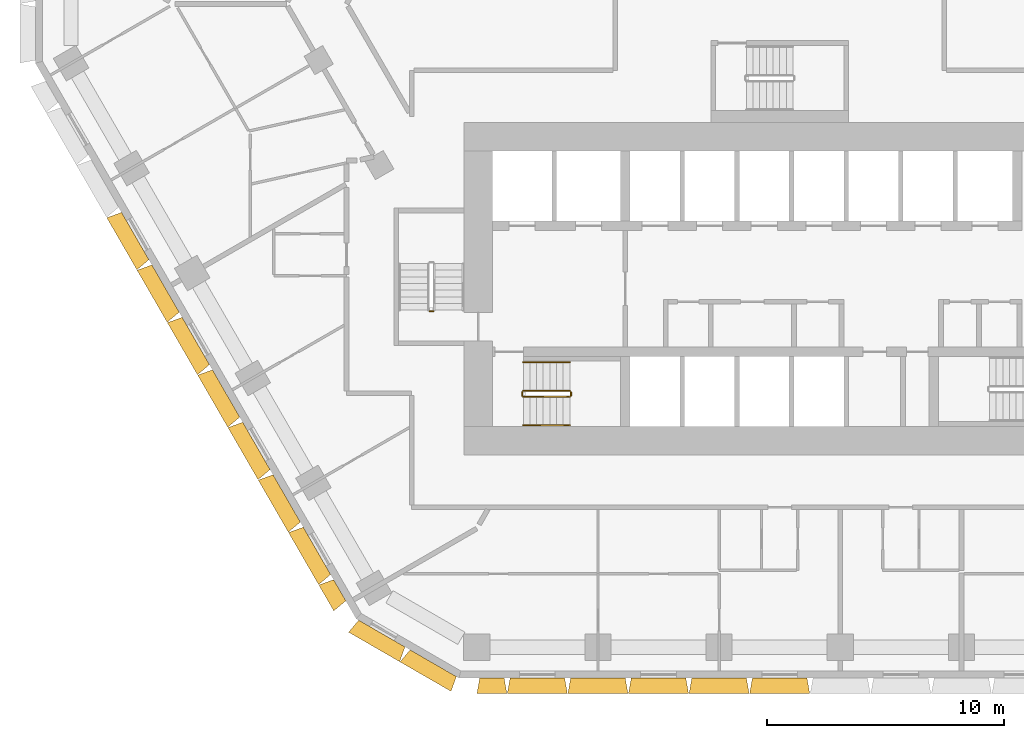
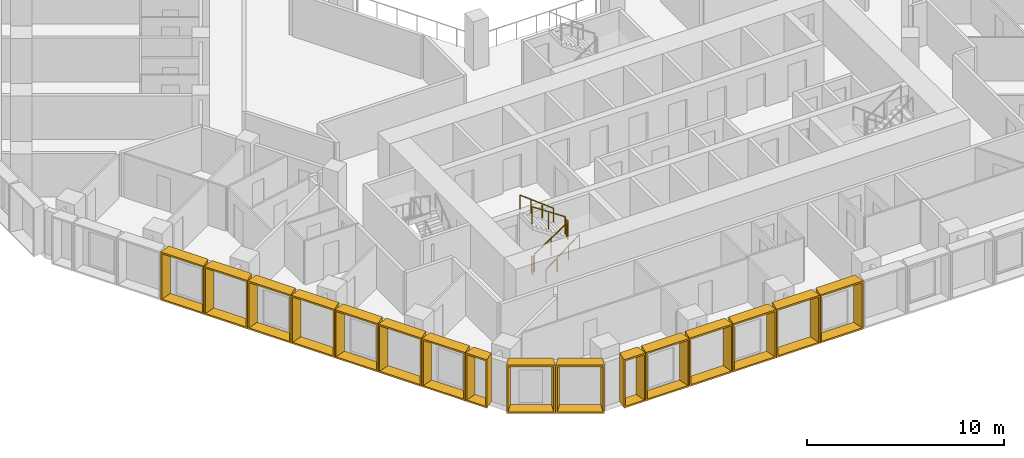
# One storey, part 13 of 16: 16 shading devices, 7 railings.
"""IFC4 building model written with IfcOpenShell, lengths in metres."""

from ifc_helpers import new_model, entity, si_unit, direction, frame, origin, origin_2d, place, context, subcontext, project, spatial, rectangle, extrude, source, transform, mapped, material, type_object, type_shapes, element, save


model = new_model("IFC4")

# Units and contexts
model_context = context("Model", 3, precision=1e-05, world=origin(), true_north=direction((0.0, 1.0)))
body_context = subcontext(model_context, "Body", "Model", "MODEL_VIEW")
ifc_project = project(units=[si_unit("LENGTHUNIT", "METRE"), si_unit("AREAUNIT", "SQUARE_METRE"), si_unit("VOLUMEUNIT", "CUBIC_METRE"), si_unit("PLANEANGLEUNIT", "RADIAN"), si_unit("MASSUNIT", "GRAM", prefix="KILO")], contexts=[model_context])

# Site, building, storey
site_placement = place(None, origin())
site = spatial("IfcSite", under=ifc_project, at=site_placement, CompositionType="ELEMENT")
building_placement = place(site_placement, origin())
building = spatial("IfcBuilding", under=site, at=building_placement, Name="Beryl Residences", CompositionType="ELEMENT")
storey_placement = place(building_placement, frame((0.0, 0.0, 32.39990234375)))
storey = spatial("IfcBuildingStorey", under=building, at=storey_placement, Name="L09", CompositionType="ELEMENT", Elevation=32.39990234375)

# Shading devices
ifc_material_1 = material(Name="Aluminium pale anodised", Category="aluminium")
shading_device_type_1 = type_object("IfcShadingDeviceType", Name="FR128-65A OUTER SKIN frame 650 mm deep, splay 10/10 deg, 1280 x 3000 mm cell", PredefinedType="USERDEFINED", material=ifc_material_1)
cartesian_point_1 = entity("IfcCartesianPoint", [-0.514892578125, 0.0])
cartesian_point_2 = entity("IfcCartesianPoint", [-0.433837890625, 0.10009765625])
cartesian_point_3 = entity("IfcCartesianPoint", [-0.629638671875, 0.0])
cartesian_point_4 = entity("IfcCartesianPoint", [-0.54833984375, 0.10009765625])
shared_shape_1 = source(origin(), body_context, "Body", "SweptSolid", [
    entity("IfcExtrudedAreaSolidTapered", entity("IfcArbitraryProfileDefWithVoids", "AREA", None, entity("IfcPolyline", [cartesian_point_1, entity("IfcCartesianPoint", [0.514892578125, 0.0]), entity("IfcCartesianPoint", [0.514892578125, 3.0]), entity("IfcCartesianPoint", [-0.514892578125, 3.0]), cartesian_point_1]), [entity("IfcPolyline", [cartesian_point_2, entity("IfcCartesianPoint", [0.433837890625, 0.10009765625]), entity("IfcCartesianPoint", [0.433837890625, 2.89990234375]), entity("IfcCartesianPoint", [-0.433837890625, 2.89990234375]), cartesian_point_2])]), entity("IfcAxis2Placement3D", entity("IfcCartesianPoint", [0.0, 0.0, 0.0]), entity("IfcDirection", [0.0, 1.0, 0.0]), entity("IfcDirection", [-1.0, 0.0, 0.0])), entity("IfcDirection", [0.0, 0.0, 1.0]), 0.64990234375, entity("IfcArbitraryProfileDefWithVoids", "AREA", None, entity("IfcPolyline", [cartesian_point_3, entity("IfcCartesianPoint", [0.629638671875, 0.0]), entity("IfcCartesianPoint", [0.629638671875, 3.0]), entity("IfcCartesianPoint", [-0.629638671875, 3.0]), cartesian_point_3]), [entity("IfcPolyline", [cartesian_point_4, entity("IfcCartesianPoint", [0.54833984375, 0.10009765625]), entity("IfcCartesianPoint", [0.54833984375, 2.89990234375]), entity("IfcCartesianPoint", [-0.54833984375, 2.89990234375]), cartesian_point_4])])),
])
type_shapes(shading_device_type_1, [shared_shape_1])
for number, where, z_axis, x_axis, name in (
    (1, (-18.533935546875, -24.698974609375, 0.0), (0.0, 0.0, 1.0), (-0.5, 0.866025403784, 0.0), "FR128-65A frame L09 SW 11"),
    (2, (-12.12109375, -28.39990234375, 0.0), (0.0, 0.0, 1.0), (-1.0, 0.0, 0.0), "FR128-65A frame L09 S 1"),
):
    element("IfcShadingDevice", number, at=place(storey_placement, frame(where, z_axis=z_axis, x_axis=x_axis)), inside=storey, type_object=shading_device_type_1, Name=name, ObjectType="OUTER SKIN", PredefinedType="USERDEFINED", context=body_context, shape_type="MappedRepresentation", body=[
        mapped(shared_shape_1, transform((0.0, 0.0, 0.0))),
    ])
ifc_material_2 = material(Name="Aluminium pale anodised", Category="aluminium")
shading_device_type_2 = type_object("IfcShadingDeviceType", Name="FR250-65A OUTER SKIN frame 650 mm deep, splay 10/10 deg, 2500 x 3000 mm cell", PredefinedType="USERDEFINED", material=ifc_material_2)
cartesian_point_5 = entity("IfcCartesianPoint", [-1.125, 0.0])
cartesian_point_6 = entity("IfcCartesianPoint", [-1.043701171875, 0.10009765625])
cartesian_point_7 = entity("IfcCartesianPoint", [-1.239501953125, 0.0])
cartesian_point_8 = entity("IfcCartesianPoint", [-1.158447265625, 0.10009765625])
shared_shape_2 = source(origin(), body_context, "Body", "SweptSolid", [
    entity("IfcExtrudedAreaSolidTapered", entity("IfcArbitraryProfileDefWithVoids", "AREA", None, entity("IfcPolyline", [cartesian_point_5, entity("IfcCartesianPoint", [1.125, 0.0]), entity("IfcCartesianPoint", [1.125, 3.0]), entity("IfcCartesianPoint", [-1.125, 3.0]), cartesian_point_5]), [entity("IfcPolyline", [cartesian_point_6, entity("IfcCartesianPoint", [1.043701171875, 0.10009765625]), entity("IfcCartesianPoint", [1.043701171875, 2.89990234375]), entity("IfcCartesianPoint", [-1.043701171875, 2.89990234375]), cartesian_point_6])]), entity("IfcAxis2Placement3D", entity("IfcCartesianPoint", [0.0, 0.0, 0.0]), entity("IfcDirection", [0.0, 1.0, 0.0]), entity("IfcDirection", [-1.0, 0.0, 0.0])), entity("IfcDirection", [0.0, 0.0, 1.0]), 0.64990234375, entity("IfcArbitraryProfileDefWithVoids", "AREA", None, entity("IfcPolyline", [cartesian_point_7, entity("IfcCartesianPoint", [1.239501953125, 0.0]), entity("IfcCartesianPoint", [1.239501953125, 3.0]), entity("IfcCartesianPoint", [-1.239501953125, 3.0]), cartesian_point_7]), [entity("IfcPolyline", [cartesian_point_8, entity("IfcCartesianPoint", [1.158447265625, 0.10009765625]), entity("IfcCartesianPoint", [1.158447265625, 2.89990234375]), entity("IfcCartesianPoint", [-1.158447265625, 2.89990234375]), cartesian_point_8])])),
])
type_shapes(shading_device_type_2, [shared_shape_2])
for number, where, z_axis, x_axis, name in (
    (3, (-16.758056640625, -26.52490234375, 0.0), (0.0, 0.0, 1.0), (-0.866025403784, 0.5, 0.0), "FR250-65A frame L09 SW-S 1"),
    (4, (-14.593017578125, -27.77490234375, 0.0), (0.0, 0.0, 1.0), (-0.866025403784, 0.5, 0.0), "FR250-65A frame L09 SW-S 2"),
):
    element("IfcShadingDevice", number, at=place(storey_placement, frame(where, z_axis=z_axis, x_axis=x_axis)), inside=storey, type_object=shading_device_type_2, Name=name, ObjectType="OUTER SKIN", PredefinedType="USERDEFINED", context=body_context, shape_type="MappedRepresentation", body=[
        mapped(shared_shape_2, transform((0.0, 0.0, 0.0))),
    ])
ifc_material_3 = material(Name="Aluminium pale anodised", Category="aluminium")
shading_device_type_3 = type_object("IfcShadingDeviceType", Name="FR255-65A OUTER SKIN frame 650 mm deep, splay 10/10 deg, 2550 x 3000 mm cell", PredefinedType="USERDEFINED", material=ifc_material_3)
cartesian_point_9 = entity("IfcCartesianPoint", [-1.14990234375, 0.0])
cartesian_point_10 = entity("IfcCartesianPoint", [-1.06884765625, 0.10009765625])
cartesian_point_11 = entity("IfcCartesianPoint", [-1.2646484375, 0.0])
cartesian_point_12 = entity("IfcCartesianPoint", [-1.183349609375, 0.10009765625])
shared_shape_3 = source(origin(), body_context, "Body", "SweptSolid", [
    entity("IfcExtrudedAreaSolidTapered", entity("IfcArbitraryProfileDefWithVoids", "AREA", None, entity("IfcPolyline", [cartesian_point_9, entity("IfcCartesianPoint", [1.14990234375, 0.0]), entity("IfcCartesianPoint", [1.14990234375, 3.0]), entity("IfcCartesianPoint", [-1.14990234375, 3.0]), cartesian_point_9]), [entity("IfcPolyline", [cartesian_point_10, entity("IfcCartesianPoint", [1.06884765625, 0.10009765625]), entity("IfcCartesianPoint", [1.06884765625, 2.89990234375]), entity("IfcCartesianPoint", [-1.06884765625, 2.89990234375]), cartesian_point_10])]), entity("IfcAxis2Placement3D", entity("IfcCartesianPoint", [0.0, 0.0, 0.0]), entity("IfcDirection", [0.0, 1.0, 0.0]), entity("IfcDirection", [-1.0, 0.0, 0.0])), entity("IfcDirection", [0.0, 0.0, 1.0]), 0.64990234375, entity("IfcArbitraryProfileDefWithVoids", "AREA", None, entity("IfcPolyline", [cartesian_point_11, entity("IfcCartesianPoint", [1.2646484375, 0.0]), entity("IfcCartesianPoint", [1.2646484375, 3.0]), entity("IfcCartesianPoint", [-1.2646484375, 3.0]), cartesian_point_11]), [entity("IfcPolyline", [cartesian_point_12, entity("IfcCartesianPoint", [1.183349609375, 0.10009765625]), entity("IfcCartesianPoint", [1.183349609375, 2.89990234375]), entity("IfcCartesianPoint", [-1.183349609375, 2.89990234375]), cartesian_point_12])])),
])
type_shapes(shading_device_type_3, [shared_shape_3])
for number, where, z_axis, x_axis, name in (
    (5, (-27.14599609375, -9.781005859375, 0.0), (0.0, 0.0, 1.0), (-0.5, 0.866025403784, 0.0), "FR255-65A frame L09 SW 4"),
    (6, (-25.8701171875, -11.990966796875, 0.0), (0.0, 0.0, 1.0), (-0.5, 0.866025403784, 0.0), "FR255-65A frame L09 SW 5"),
    (7, (-24.594970703125, -14.200927734375, 0.0), (0.0, 0.0, 1.0), (-0.5, 0.866025403784, 0.0), "FR255-65A frame L09 SW 6"),
    (8, (-23.319091796875, -16.410888671875, 0.0), (0.0, 0.0, 1.0), (-0.5, 0.866025403784, 0.0), "FR255-65A frame L09 SW 7"),
    (9, (-22.04296875, -18.62109375, 0.0), (0.0, 0.0, 1.0), (-0.5, 0.866025403784, 0.0), "FR255-65A frame L09 SW 8"),
    (10, (-20.76708984375, -20.8310546875, 0.0), (0.0, 0.0, 1.0), (-0.5, 0.866025403784, 0.0), "FR255-65A frame L09 SW 9"),
    (11, (-19.490966796875, -23.041015625, 0.0), (0.0, 0.0, 1.0), (-0.5, 0.866025403784, 0.0), "FR255-65A frame L09 SW 10"),
    (12, (-10.20703125, -28.39990234375, 0.0), (0.0, 0.0, 1.0), (-1.0, 0.0, 0.0), "FR255-65A frame L09 S 2"),
    (13, (-7.655029296875, -28.39990234375, 0.0), (0.0, 0.0, 1.0), (-1.0, 0.0, 0.0), "FR255-65A frame L09 S 3"),
    (14, (-5.10302734375, -28.39990234375, 0.0), (0.0, 0.0, 1.0), (-1.0, 0.0, 0.0), "FR255-65A frame L09 S 4"),
    (15, (-2.551025390625, -28.39990234375, 0.0), (0.0, 0.0, 1.0), (-1.0, 0.0, 0.0), "FR255-65A frame L09 S 5"),
    (16, (0.0009765625, -28.39990234375, 0.0), (0.0, 0.0, 1.0), (-1.0, 0.0, 0.0), "FR255-65A frame L09 S 6"),
):
    element("IfcShadingDevice", number, at=place(storey_placement, frame(where, z_axis=z_axis, x_axis=x_axis)), inside=storey, type_object=shading_device_type_3, Name=name, ObjectType="OUTER SKIN", PredefinedType="USERDEFINED", context=body_context, shape_type="MappedRepresentation", body=[
        mapped(shared_shape_3, transform((0.0, 0.0, 0.0))),
    ])

# Railings
ifc_material_4 = material(Name="Stainless steel balustrade with glass infill", Category="steel")
railing_type_1 = type_object("IfcRailingType", Name="SG1 stair guard 1100 mm", PredefinedType="GUARDRAIL", material=ifc_material_4)
railing_1_placement = place(storey_placement, frame((-10.800048828125, -16.550048828125, 0.1875)))
element("IfcRailing", 17, at=railing_1_placement, inside=storey, type_object=railing_type_1, Name="L09 ST-1 stair guard 1", PredefinedType="GUARDRAIL", context=body_context, shape_type="SweptSolid", body=[
    extrude(rectangle(XDim=0.048095703125, YDim=0.048095703125, at=origin_2d()), frame((0.0, 0.0, 1.076171875), z_axis=(0.830902050051, 0.0, 0.556418712142), x_axis=(0.0, 1.0, 0.0)), (0.0, 0.0, 1.0), 2.35888671875),
    extrude(rectangle(XDim=0.0419921875, YDim=0.0419921875, at=origin_2d()), origin(), (0.0, 0.0, 1.0), 1.052001953125),
    extrude(rectangle(XDim=0.0419921875, YDim=0.0419921875, at=origin_2d()), frame((0.97998046875, 0.0, 0.65625)), (0.0, 0.0, 1.0), 1.052001953125),
    extrude(rectangle(XDim=0.0419921875, YDim=0.0419921875, at=origin_2d()), frame((1.9599609375, 0.0, 1.3125)), (0.0, 0.0, 1.0), 1.052001953125),
])
railing_2_placement = place(storey_placement, frame((-8.7900390625, -16.5, 1.5)))
element("IfcRailing", 18, at=railing_2_placement, inside=storey, type_object=railing_type_1, Name="L09 ST-1 stair guard 2", PredefinedType="GUARDRAIL", context=body_context, shape_type="SweptSolid", body=[
    extrude(rectangle(XDim=0.048095703125, YDim=0.048095703125, at=origin_2d()), frame((0.0, 0.0, 1.076171875), z_axis=(0.0, 1.0, 0.0), x_axis=(-1.0, 0.0, 0.0)), (0.0, 0.0, 1.0), 0.14990234375),
    extrude(rectangle(XDim=0.0419921875, YDim=0.0419921875, at=origin_2d()), origin(), (0.0, 0.0, 1.0), 1.052001953125),
    extrude(rectangle(XDim=0.0419921875, YDim=0.0419921875, at=origin_2d()), frame((0.0, 0.14990234375, 0.0)), (0.0, 0.0, 1.0), 1.052001953125),
])
railing_3_placement = place(storey_placement, frame((-8.840087890625, -16.300048828125, 1.6875)))
element("IfcRailing", 19, at=railing_3_placement, inside=storey, type_object=railing_type_1, Name="L09 ST-1 stair guard 3", PredefinedType="GUARDRAIL", context=body_context, shape_type="SweptSolid", body=[
    extrude(rectangle(XDim=0.048095703125, YDim=0.048095703125, at=origin_2d()), frame((0.0, 0.0, 1.076171875), z_axis=(-0.830902050051, 0.0, 0.556418712142), x_axis=(0.0, -1.0, 0.0)), (0.0, 0.0, 1.0), 2.35888671875),
    extrude(rectangle(XDim=0.0419921875, YDim=0.0419921875, at=origin_2d()), origin(), (0.0, 0.0, 1.0), 1.052001953125),
    extrude(rectangle(XDim=0.0419921875, YDim=0.0419921875, at=origin_2d()), frame((-0.97998046875, 0.0, 0.65625)), (0.0, 0.0, 1.0), 1.052001953125),
    extrude(rectangle(XDim=0.0419921875, YDim=0.0419921875, at=origin_2d()), frame((-1.9599609375, 0.0, 1.3125)), (0.0, 0.0, 1.0), 1.052001953125),
])
railing_4_placement = place(storey_placement, frame((-10.85009765625, -16.5, 0.0)))
element("IfcRailing", 20, at=railing_4_placement, inside=storey, type_object=railing_type_1, Name="L09 ST-1 stair guard 4", PredefinedType="GUARDRAIL", context=body_context, shape_type="SweptSolid", body=[
    extrude(rectangle(XDim=0.048095703125, YDim=0.048095703125, at=origin_2d()), frame((0.0, 0.0, 1.076171875), z_axis=(0.0, 1.0, 0.0), x_axis=(-1.0, 0.0, 0.0)), (0.0, 0.0, 1.0), 0.14990234375),
    extrude(rectangle(XDim=0.0419921875, YDim=0.0419921875, at=origin_2d()), origin(), (0.0, 0.0, 1.0), 1.052001953125),
    extrude(rectangle(XDim=0.0419921875, YDim=0.0419921875, at=origin_2d()), frame((0.0, 0.14990234375, 0.0)), (0.0, 0.0, 1.0), 1.052001953125),
])
railing_5_placement = place(storey_placement, frame((-14.60009765625, -12.949951171875, 0.0)))
element("IfcRailing", 21, at=railing_5_placement, inside=storey, type_object=railing_type_1, Name="L09 ST-2 stair guard 4", PredefinedType="GUARDRAIL", context=body_context, shape_type="SweptSolid", body=[
    extrude(rectangle(XDim=0.048095703125, YDim=0.048095703125, at=origin_2d()), frame((0.0, 0.0, 1.076171875), z_axis=(-1.0, 0.0, 0.0), x_axis=(0.0, -1.0, 0.0)), (0.0, 0.0, 1.0), 0.14990234375),
    extrude(rectangle(XDim=0.0419921875, YDim=0.0419921875, at=origin_2d()), origin(), (0.0, 0.0, 1.0), 1.052001953125),
    extrude(rectangle(XDim=0.0419921875, YDim=0.0419921875, at=origin_2d()), frame((-0.14990234375, 0.0, 0.0)), (0.0, 0.0, 1.0), 1.052001953125),
])
ifc_material_5 = material(Name="Stainless steel handrail", Category="steel")
railing_type_2 = type_object("IfcRailingType", Name="SRL1 stair handrail 900 mm", PredefinedType="HANDRAIL", material=ifc_material_5)
railing_6_placement = place(storey_placement, frame((-10.800048828125, -17.75, 0.1875)))
element("IfcRailing", 22, at=railing_6_placement, inside=storey, type_object=railing_type_2, Name="L09 ST-1 stair handrail 1", PredefinedType="HANDRAIL", context=body_context, shape_type="SweptSolid", body=[
    extrude(rectangle(XDim=0.048095703125, YDim=0.048095703125, at=origin_2d()), frame((0.0, 0.0, 0.8759765625), z_axis=(0.794121922505, 0.0, 0.607758481798), x_axis=(0.0, 1.0, 0.0)), (0.0, 0.0, 1.0), 2.468017578125),
    extrude(rectangle(XDim=0.0419921875, YDim=0.0419921875, at=origin_2d()), origin(), (0.0, 0.0, 1.0), 0.851806640625),
    extrude(rectangle(XDim=0.0419921875, YDim=0.0419921875, at=origin_2d()), frame((0.6533203125, 0.0, 0.5)), (0.0, 0.0, 1.0), 0.851806640625),
    extrude(rectangle(XDim=0.0419921875, YDim=0.0419921875, at=origin_2d()), frame((1.306640625, 0.0, 1.0)), (0.0, 0.0, 1.0), 0.851806640625),
    extrude(rectangle(XDim=0.0419921875, YDim=0.0419921875, at=origin_2d()), frame((1.9599609375, 0.0, 1.5)), (0.0, 0.0, 1.0), 0.851806640625),
])
railing_7_placement = place(storey_placement, frame((-8.840087890625, -15.10009765625, 1.6875)))
element("IfcRailing", 23, at=railing_7_placement, inside=storey, type_object=railing_type_2, Name="L09 ST-1 stair handrail 2", PredefinedType="HANDRAIL", context=body_context, shape_type="SweptSolid", body=[
    extrude(rectangle(XDim=0.048095703125, YDim=0.048095703125, at=origin_2d()), frame((0.0, 0.0, 0.8759765625), z_axis=(-0.794121922505, 0.0, 0.607758481798), x_axis=(0.0, -1.0, 0.0)), (0.0, 0.0, 1.0), 2.468017578125),
    extrude(rectangle(XDim=0.0419921875, YDim=0.0419921875, at=origin_2d()), origin(), (0.0, 0.0, 1.0), 0.851806640625),
    extrude(rectangle(XDim=0.0419921875, YDim=0.0419921875, at=origin_2d()), frame((-0.6533203125, 0.0, 0.5)), (0.0, 0.0, 1.0), 0.851806640625),
    extrude(rectangle(XDim=0.0419921875, YDim=0.0419921875, at=origin_2d()), frame((-1.306640625, 0.0, 1.0)), (0.0, 0.0, 1.0), 0.851806640625),
    extrude(rectangle(XDim=0.0419921875, YDim=0.0419921875, at=origin_2d()), frame((-1.9599609375, 0.0, 1.5)), (0.0, 0.0, 1.0), 0.851806640625),
])

save(model, "model.ifc")
